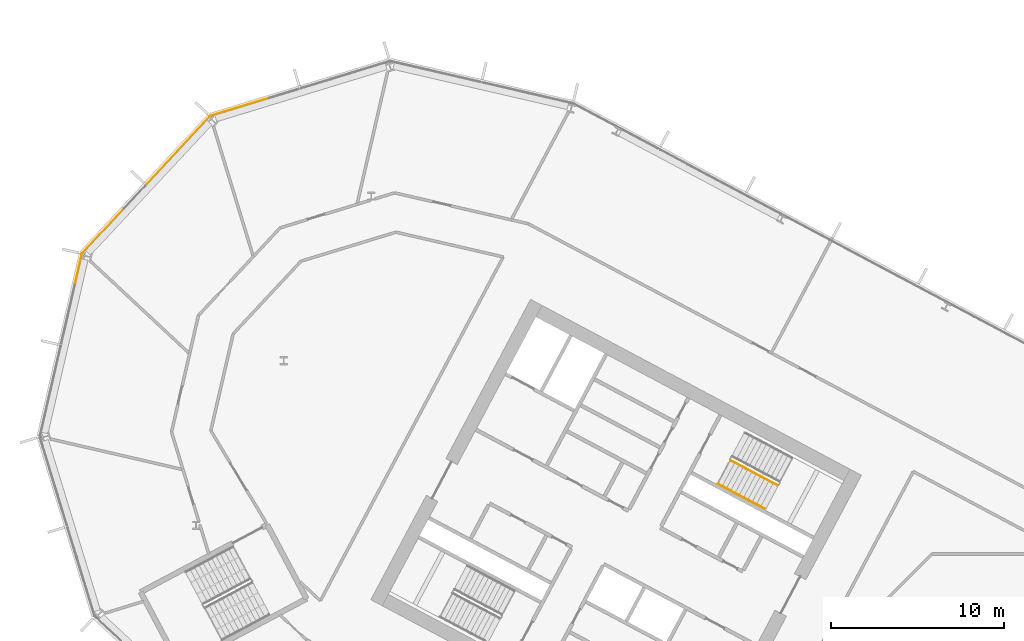
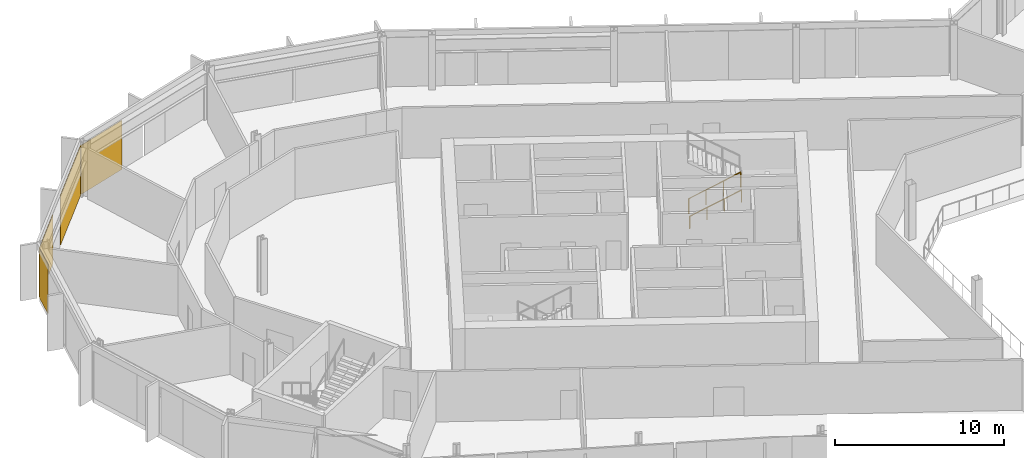
# One storey, part 22 of 28: 4 coverings, 2 railings, 3 elements without a shape of their own.
"""IFC4 building model written with IfcOpenShell, lengths in metres."""

from ifc_helpers import new_model, si_unit, direction, frame, origin, origin_2d, place, context, subcontext, project, spatial, polyline, rectangle, outline, extrude, material, layer, layer_set, type_object, element, aggregate, save


model = new_model("IFC4")

# Units and contexts
model_context = context("Model", 3, precision=1e-05, world=origin(), true_north=direction((0.0, 1.0)))
body_context = subcontext(model_context, "Body", "Model", "MODEL_VIEW")
ifc_project = project(units=[si_unit("LENGTHUNIT", "METRE"), si_unit("AREAUNIT", "SQUARE_METRE"), si_unit("VOLUMEUNIT", "CUBIC_METRE"), si_unit("PLANEANGLEUNIT", "RADIAN"), si_unit("MASSUNIT", "GRAM", prefix="KILO")], contexts=[model_context])

# Site, building, storey
site_placement = place(None, origin())
site = spatial("IfcSite", under=ifc_project, at=site_placement, CompositionType="ELEMENT")
building_placement = place(site_placement, origin())
building = spatial("IfcBuilding", under=site, at=building_placement, Name="Cormorant Relay Tower", CompositionType="ELEMENT")
storey_placement = place(building_placement, frame((0.0, 0.0, 146.199951171875)))
storey = spatial("IfcBuildingStorey", under=building, at=storey_placement, Name="L30", CompositionType="ELEMENT", Elevation=146.199951171875)

# Curtain wall, covering
ifc_material_1 = material(Name="Aluminium 6063-T6 anodised bronze", Category="aluminium")
ifc_layer_1 = layer(ifc_material_1, 0.199951171875)
ifc_layer_set_1 = layer_set([ifc_layer_1], Name="CW1 unitised bronze curtain wall with vertical fins")
curtain_wall_type = type_object("IfcCurtainWallType", Name="CW1 unitised bronze curtain wall with vertical fins", PredefinedType="NOTDEFINED", material=ifc_layer_set_1)
curtain_wall_1_placement = place(storey_placement, origin())
curtain_wall_1 = element("IfcCurtainWall", 1, at=curtain_wall_1_placement, inside=storey, type_object=curtain_wall_type, Name="CW1 curtain wall 11", PredefinedType="NOTDEFINED")
ifc_material_2 = material(Name="Pale bronze anodised aluminium insulated panel", Category="aluminium")
ifc_layer_2 = layer(ifc_material_2, 0.0400390625)
ifc_layer_set_2 = layer_set([ifc_layer_2], Name="CW1 pale bronze insulated panel 40")
covering_type = type_object("IfcCoveringType", Name="CW1 pale bronze insulated panel 40", PredefinedType="CLADDING", material=ifc_layer_set_2)
covering_1_placement = place(storey_placement, frame((-49.16455078125, 39.474853515625, 0.0), z_axis=(0.0, 0.0, 1.0), x_axis=(-0.956304755963, -0.292371704723, 0.0)))
covering_1 = element("IfcCovering", 2, at=covering_1_placement, type_object=covering_type, Name="CW1 panel S03", PredefinedType="CLADDING", context=body_context, shape_type="SweptSolid", body=[
    extrude(rectangle(XDim=3.560302734375, YDim=0.0400390625, at=origin_2d()), origin(), (0.0, 0.0, 1.0), 3.550048828125),
])
aggregate(curtain_wall_1, [covering_1])

# Curtain wall, coverings
curtain_wall_2_placement = place(storey_placement, origin())
curtain_wall_2 = element("IfcCurtainWall", 3, at=curtain_wall_2_placement, inside=storey, type_object=curtain_wall_type, Name="CW1 curtain wall 12", PredefinedType="NOTDEFINED")
covering_2_placement = place(storey_placement, frame((-52.72900390625, 36.961181640625, 0.0), z_axis=(0.0, 0.0, 1.0), x_axis=(-0.681998360062, -0.731353701619, 0.0)))
covering_2 = element("IfcCovering", 4, at=covering_2_placement, type_object=covering_type, Name="CW1 panel S00", PredefinedType="CLADDING", context=body_context, shape_type="SweptSolid", body=[
    extrude(rectangle(XDim=5.28515625, YDim=0.0400390625, at=origin_2d()), origin(), (0.0, 0.0, 1.0), 3.550048828125),
])
covering_3_placement = place(storey_placement, frame((-57.0751953125, 32.300537109375, 0.0), z_axis=(0.0, 0.0, 1.0), x_axis=(-0.681998360062, -0.731353701619, 0.0)))
covering_3 = element("IfcCovering", 5, at=covering_3_placement, type_object=covering_type, Name="CW1 panel S02", PredefinedType="CLADDING", context=body_context, shape_type="SweptSolid", body=[
    extrude(rectangle(XDim=3.560302734375, YDim=0.0400390625, at=origin_2d()), origin(), (0.0, 0.0, 1.0), 3.550048828125),
])
aggregate(curtain_wall_2, [covering_2, covering_3])

# Curtain wall, covering
curtain_wall_3_placement = place(storey_placement, origin())
curtain_wall_3 = element("IfcCurtainWall", 6, at=curtain_wall_3_placement, inside=storey, type_object=curtain_wall_type, Name="CW1 curtain wall 13", PredefinedType="NOTDEFINED")
covering_4_placement = place(storey_placement, frame((-58.50048828125, 30.095458984375, 0.0), z_axis=(0.0, 0.0, 1.0), x_axis=(-0.224951054344, -0.974370064785, 0.0)))
covering_4 = element("IfcCovering", 7, at=covering_4_placement, type_object=covering_type, Name="CW1 panel S00", PredefinedType="CLADDING", context=body_context, shape_type="SweptSolid", body=[
    extrude(rectangle(XDim=1.685302734375, YDim=0.0400390625, at=origin_2d()), origin(), (0.0, 0.0, 1.0), 3.550048828125),
])
aggregate(curtain_wall_3, [covering_4])

# Railings
ifc_material_3 = material(Name="Steel ASTM A572 Grade 50 (Fy 345 MPa)", Category="steel")
railing_type_1 = type_object("IfcRailingType", Name="Stair guard 1100", PredefinedType="GUARDRAIL", material=ifc_material_3)
railing_1_placement = place(storey_placement, frame((-20.75048828125, 19.017822265625, 0.166748046875)))
element("IfcRailing", 8, at=railing_1_placement, inside=storey, type_object=railing_type_1, Name="L30 A1 stair guard 1", PredefinedType="GUARDRAIL", context=body_context, shape_type="SweptSolid", body=[
    extrude(outline(polyline([(0.022216796875, 0.00927734375), (0.00927734375, 0.022216796875), (-0.00927734375, 0.022216796875), (-0.022216796875, 0.00927734375), (-0.022216796875, -0.00927734375), (-0.00927734375, -0.022216796875), (0.00927734375, -0.022216796875), (0.022216796875, -0.00927734375), (0.022216796875, 0.00927734375)])), frame((0.0, 0.0, 1.076171875), z_axis=(0.758734504837, -0.403377838015, 0.511476559549), x_axis=(0.469427602063, 0.882970965786, 0.0)), (0.0, 0.0, 1.0), 3.584228515625),
    extrude(outline(polyline([(0.019287109375, 0.008056640625), (0.008056640625, 0.019287109375), (-0.008056640625, 0.019287109375), (-0.019287109375, 0.008056640625), (-0.019287109375, -0.008056640625), (-0.008056640625, -0.019287109375), (0.008056640625, -0.019287109375), (0.019287109375, -0.008056640625), (0.019287109375, 0.008056640625)])), origin(), (0.0, 0.0, 1.0), 1.052001953125),
    extrude(outline(polyline([(0.019287109375, 0.008056640625), (0.008056640625, 0.019287109375), (-0.008056640625, 0.019287109375), (-0.019287109375, 0.008056640625), (-0.019287109375, -0.008056640625), (-0.008056640625, -0.019287109375), (0.008056640625, -0.019287109375), (0.019287109375, -0.008056640625), (0.019287109375, 0.008056640625)])), frame((0.906494140625, -0.48193359375, 0.611083984375)), (0.0, 0.0, 1.0), 1.052001953125),
    extrude(outline(polyline([(0.019287109375, 0.008056640625), (0.008056640625, 0.019287109375), (-0.008056640625, 0.019287109375), (-0.019287109375, 0.008056640625), (-0.019287109375, -0.008056640625), (-0.008056640625, -0.019287109375), (0.008056640625, -0.019287109375), (0.019287109375, -0.008056640625), (0.019287109375, 0.008056640625)])), frame((1.81298828125, -0.9638671875, 1.22216796875)), (0.0, 0.0, 1.0), 1.052001953125),
    extrude(outline(polyline([(0.019287109375, 0.008056640625), (0.008056640625, 0.019287109375), (-0.008056640625, 0.019287109375), (-0.019287109375, 0.008056640625), (-0.019287109375, -0.008056640625), (-0.008056640625, -0.019287109375), (0.008056640625, -0.019287109375), (0.019287109375, -0.008056640625), (0.019287109375, 0.008056640625)])), frame((2.719482421875, -1.44580078125, 1.833251953125)), (0.0, 0.0, 1.0), 1.052001953125),
])
ifc_material_4 = material(Name="Steel ASTM A572 Grade 50 (Fy 345 MPa)", Category="steel")
railing_type_2 = type_object("IfcRailingType", Name="Stair handrail 900", PredefinedType="HANDRAIL", material=ifc_material_4)
railing_2_placement = place(storey_placement, frame((-21.478271484375, 17.6494140625, 0.166748046875)))
element("IfcRailing", 9, at=railing_2_placement, inside=storey, type_object=railing_type_2, Name="L30 A1 stair handrail 1", PredefinedType="HANDRAIL", context=body_context, shape_type="SweptSolid", body=[
    extrude(outline(polyline([(0.022216796875, 0.00927734375), (0.00927734375, 0.022216796875), (-0.00927734375, 0.022216796875), (-0.022216796875, 0.00927734375), (-0.022216796875, -0.00927734375), (-0.00927734375, -0.022216796875), (0.00927734375, -0.022216796875), (0.022216796875, -0.00927734375), (0.022216796875, 0.00927734375)])), frame((0.0, 0.0, 0.8759765625), z_axis=(0.758713656843, -0.403434867536, 0.511462505542), x_axis=(0.469489399267, 0.882938108802, 0.0)), (0.0, 0.0, 1.0), 3.584228515625),
    extrude(outline(polyline([(0.019287109375, 0.008056640625), (0.008056640625, 0.019287109375), (-0.008056640625, 0.019287109375), (-0.019287109375, 0.008056640625), (-0.019287109375, -0.008056640625), (-0.008056640625, -0.019287109375), (0.008056640625, -0.019287109375), (0.019287109375, -0.008056640625), (0.019287109375, 0.008056640625)])), origin(), (0.0, 0.0, 1.0), 0.851806640625),
    extrude(outline(polyline([(0.019287109375, 0.008056640625), (0.008056640625, 0.019287109375), (-0.008056640625, 0.019287109375), (-0.019287109375, 0.008056640625), (-0.019287109375, -0.008056640625), (-0.008056640625, -0.019287109375), (0.008056640625, -0.019287109375), (0.019287109375, -0.008056640625), (0.019287109375, 0.008056640625)])), frame((0.906494140625, -0.48193359375, 0.611083984375)), (0.0, 0.0, 1.0), 0.851806640625),
    extrude(outline(polyline([(0.019287109375, 0.008056640625), (0.008056640625, 0.019287109375), (-0.008056640625, 0.019287109375), (-0.019287109375, 0.008056640625), (-0.019287109375, -0.008056640625), (-0.008056640625, -0.019287109375), (0.008056640625, -0.019287109375), (0.019287109375, -0.008056640625), (0.019287109375, 0.008056640625)])), frame((1.81298828125, -0.964111328125, 1.22216796875)), (0.0, 0.0, 1.0), 0.851806640625),
    extrude(outline(polyline([(0.019287109375, 0.008056640625), (0.008056640625, 0.019287109375), (-0.008056640625, 0.019287109375), (-0.019287109375, 0.008056640625), (-0.019287109375, -0.008056640625), (-0.008056640625, -0.019287109375), (0.008056640625, -0.019287109375), (0.019287109375, -0.008056640625), (0.019287109375, 0.008056640625)])), frame((2.719482421875, -1.446044921875, 1.833251953125)), (0.0, 0.0, 1.0), 0.851806640625),
])

save(model, "model.ifc")
